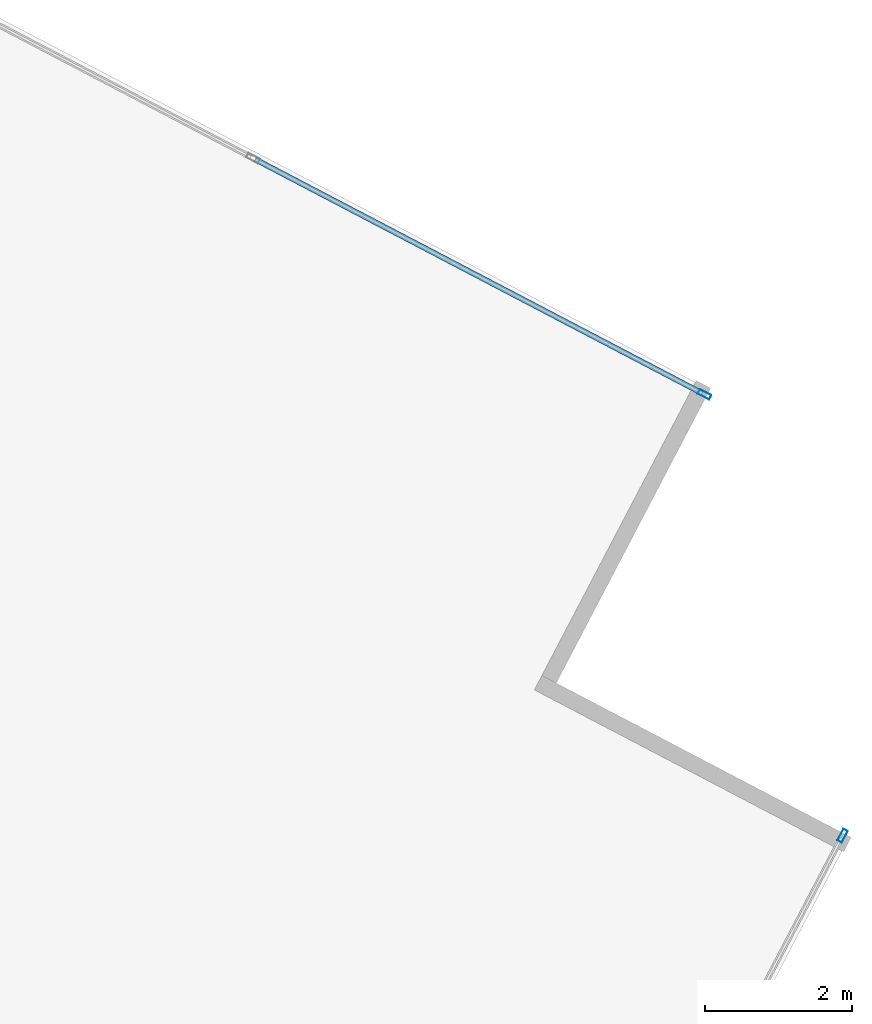
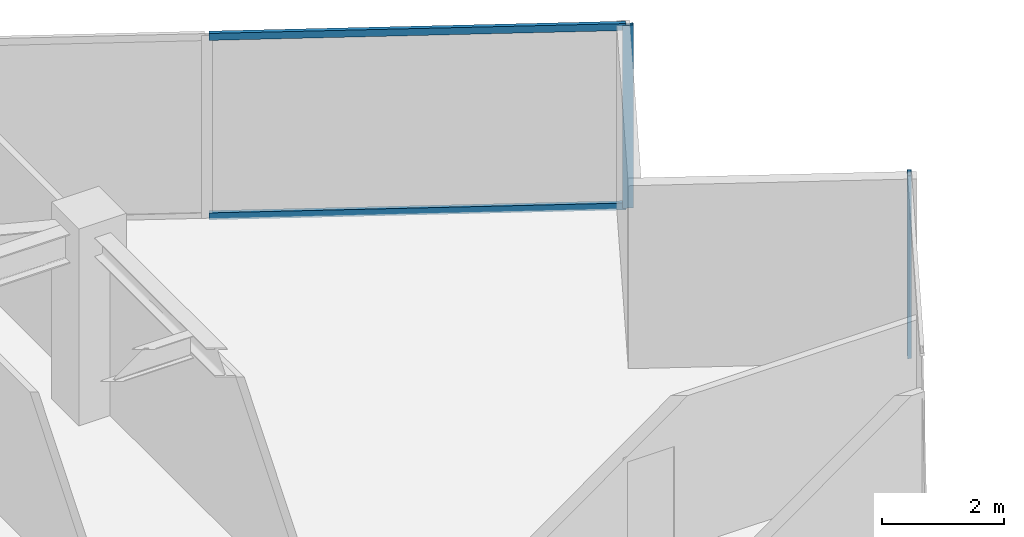
# One storey, part 20 of 27: 4 members, 2 elements without a shape of their own.
"""IFC4 building model written with IfcOpenShell, lengths in metres."""

from ifc_helpers import new_model, si_unit, direction, frame, origin, origin_2d, place, context, subcontext, project, spatial, hollow_rectangle, extrude, source, transform, mapped, material, material_profile, profile_set, type_object, type_shapes, element, aggregate, save


model = new_model("IFC4")

# Units and contexts
model_context = context("Model", 3, precision=1e-05, world=origin(), true_north=direction((0.0, 1.0)))
body_context = subcontext(model_context, "Body", "Model", "MODEL_VIEW")
ifc_project = project(units=[si_unit("LENGTHUNIT", "METRE"), si_unit("AREAUNIT", "SQUARE_METRE"), si_unit("VOLUMEUNIT", "CUBIC_METRE"), si_unit("PLANEANGLEUNIT", "RADIAN"), si_unit("MASSUNIT", "GRAM", prefix="KILO")], contexts=[model_context])

# Site, building, storey
site_placement = place(None, origin())
site = spatial("IfcSite", under=ifc_project, at=site_placement, CompositionType="ELEMENT")
building_placement = place(site_placement, origin())
building = spatial("IfcBuilding", under=site, at=building_placement, Name="Krantzveldt Concourse Tower", CompositionType="ELEMENT")
storey_placement = place(building_placement, frame((0.0, 0.0, 154.10009765625)))
storey = spatial("IfcBuildingStorey", under=building, at=storey_placement, Name="L37", CompositionType="ELEMENT", Elevation=154.10009765625)

# Curtain wall, member
ifc_material = material(Name="Anodised aluminium 6063-T6", Category="aluminium")
curtain_wall_type = type_object("IfcCurtainWallType", Name="CW3", PredefinedType="USERDEFINED", material=ifc_material)
curtain_wall_1_placement = place(storey_placement, origin())
curtain_wall_1 = element("IfcCurtainWall", 1, at=curtain_wall_1_placement, inside=storey, type_object=curtain_wall_type, Name="CW-L37-F07", ObjectType="UNITISED CURTAIN WALL", PredefinedType="USERDEFINED")
ifc_material_profile_1 = material_profile(ifc_material, hollow_rectangle(XDim=0.070068359375, YDim=0.179931640625, WallThickness=0.0048828125, at=origin_2d()), Name="Anodised aluminium 6063-T6", Category="aluminium")
ifc_profile_set_1 = profile_set([ifc_material_profile_1], Name="Anodised aluminium 6063-T6 - ALU-MULL 180x70x5")
member_type_1 = type_object("IfcMemberType", Name="CW-MUL-180", PredefinedType="MULLION", material=ifc_profile_set_1)
shared_shape_1 = source(origin(), body_context, "Body", "SweptSolid", [
    extrude(hollow_rectangle(XDim=0.070068359375, YDim=0.179931640625, WallThickness=0.0048828125, at=origin_2d()), origin(), (0.0, 0.0, 1.0), 3.669921875),
])
type_shapes(member_type_1, [shared_shape_1])
member_1_placement = place(storey_placement, frame((63.37548828125, 31.972412109375, 0.0), z_axis=(0.0, 0.0, 1.0), x_axis=(-0.886001265743, 0.463682819502, 0.0)))
member_1 = element("IfcMember", 2, at=member_1_placement, type_object=member_type_1, Name="CW-Z34 mullion 6", PredefinedType="MULLION", context=body_context, shape_type="MappedRepresentation", body=[
    mapped(shared_shape_1, transform((0.0, 0.0, 0.0), x_axis=(1.0, 0.0, 0.0), y_axis=(0.0, 1.0, 0.0), z_axis=(0.0, 0.0, 1.0), scale=1.0)),
])
aggregate(curtain_wall_1, [member_1])

# Curtain wall, members
curtain_wall_2_placement = place(storey_placement, origin())
curtain_wall_2 = element("IfcCurtainWall", 3, at=curtain_wall_2_placement, inside=storey, type_object=curtain_wall_type, Name="CW-L37-F10", ObjectType="UNITISED CURTAIN WALL", PredefinedType="USERDEFINED")
member_2_placement = place(storey_placement, frame((61.498291015625, 37.971923828125, 0.0), z_axis=(0.0, 0.0, 1.0), x_axis=(-0.463682819502, -0.886001265743, 0.0)))
member_2 = element("IfcMember", 4, at=member_2_placement, type_object=member_type_1, Name="CW-Z34 mullion 1", PredefinedType="MULLION", context=body_context, shape_type="MappedRepresentation", body=[
    mapped(shared_shape_1, transform((0.0, 0.0, 0.0), x_axis=(1.0, 0.0, 0.0), y_axis=(0.0, 1.0, 0.0), z_axis=(0.0, 0.0, 1.0), scale=1.0)),
])
ifc_material_profile_2 = material_profile(ifc_material, hollow_rectangle(XDim=0.070068359375, YDim=0.139892578125, WallThickness=0.0048828125, at=origin_2d()), Name="Anodised aluminium 6063-T6", Category="aluminium")
ifc_profile_set_2 = profile_set([ifc_material_profile_2], Name="Anodised aluminium 6063-T6 - ALU-TRAN 140x70x5")
member_type_2 = type_object("IfcMemberType", Name="CW-TRN-150", PredefinedType="USERDEFINED", material=ifc_profile_set_2)
shared_shape_2 = source(origin(), body_context, "Body", "SweptSolid", [
    extrude(hollow_rectangle(XDim=0.070068359375, YDim=0.139892578125, WallThickness=0.0048828125, at=origin_2d()), origin(), (0.0, 0.0, 1.0), 6.85498046875),
])
type_shapes(member_type_2, [shared_shape_2])
member_3_placement = place(storey_placement, frame((61.46728515625, 37.988037109375, 0.034912109375), z_axis=(-0.886004354252, 0.463676917957, 0.0), x_axis=(-0.463676917957, -0.886004354252, 0.0)))
member_3 = element("IfcMember", 5, at=member_3_placement, type_object=member_type_2, Name="CW-Z34 transom 1.1", ObjectType="TRANSOM", PredefinedType="USERDEFINED", context=body_context, shape_type="MappedRepresentation", body=[
    mapped(shared_shape_2, transform((0.0, 0.0, 0.0), x_axis=(1.0, 0.0, 0.0), y_axis=(0.0, 1.0, 0.0), z_axis=(0.0, 0.0, 1.0), scale=1.0)),
])
member_4_placement = place(storey_placement, frame((61.46728515625, 37.988037109375, 3.635009765625), z_axis=(-0.886004354252, 0.463676917957, 0.0), x_axis=(-0.463676917957, -0.886004354252, 0.0)))
member_4 = element("IfcMember", 6, at=member_4_placement, type_object=member_type_2, Name="CW-Z34 transom 1.2", ObjectType="TRANSOM", PredefinedType="USERDEFINED", context=body_context, shape_type="MappedRepresentation", body=[
    mapped(shared_shape_2, transform((0.0, 0.0, 0.0), x_axis=(1.0, 0.0, 0.0), y_axis=(0.0, 1.0, 0.0), z_axis=(0.0, 0.0, 1.0), scale=1.0)),
])
aggregate(curtain_wall_2, [member_2, member_3, member_4])

save(model, "model.ifc")
